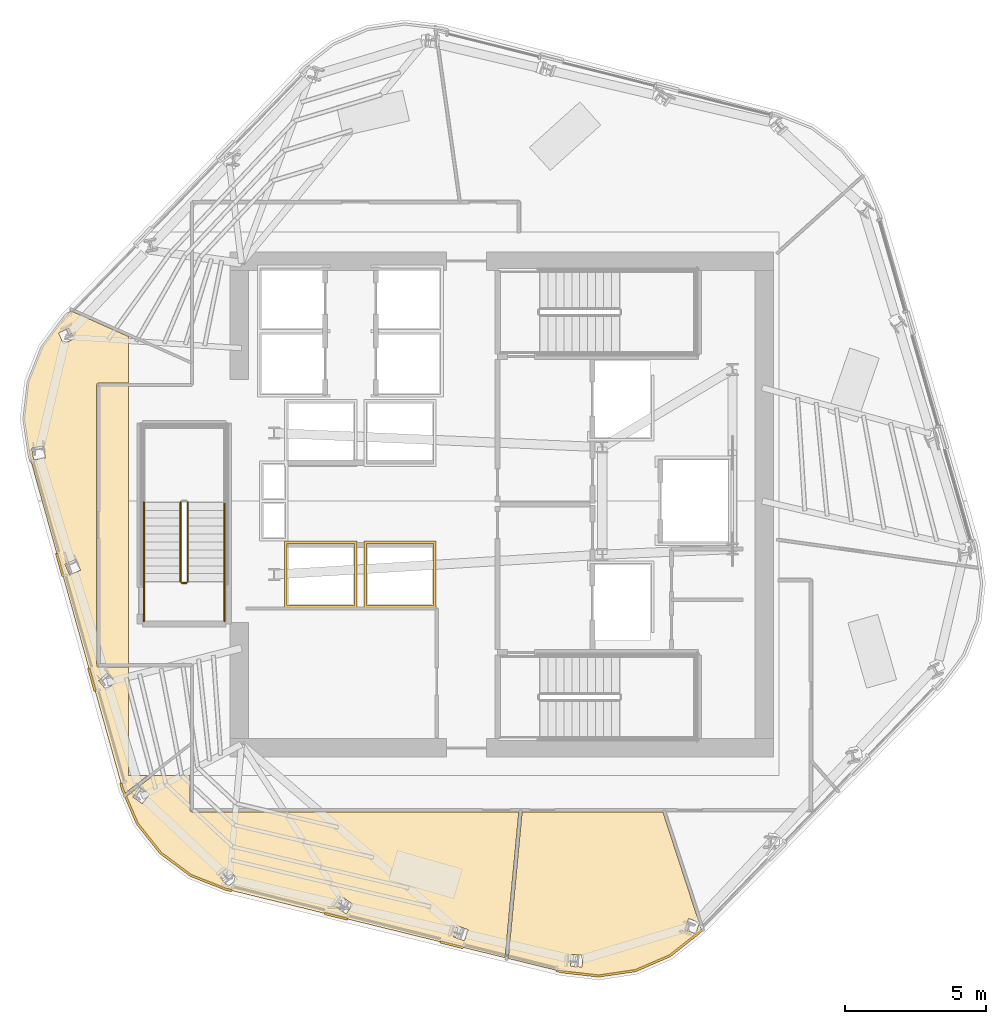
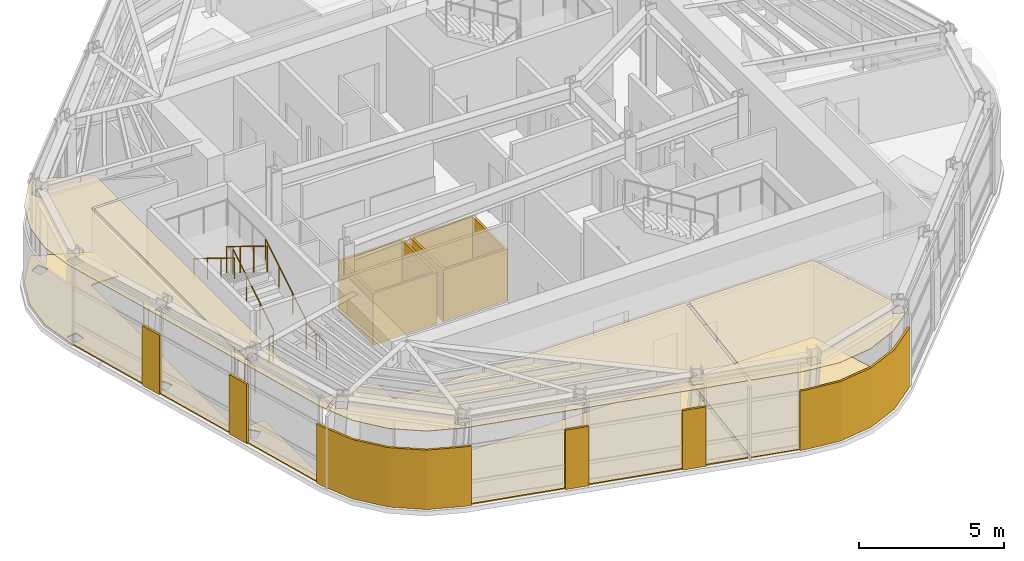
# One storey, part 9 of 13: 15 coverings, 7 railings.
"""IFC4 building model written with IfcOpenShell, lengths in metres."""

from ifc_helpers import new_model, si_unit, direction, frame, origin, origin_2d, place, context, subcontext, project, spatial, polyline, circle, outline, extrude, material, layer, layer_set, type_object, element, save


model = new_model("IFC4")

# Units and contexts
model_context = context("Model", 3, precision=1e-05, world=origin(), true_north=direction((0.0, 1.0)))
body_context = subcontext(model_context, "Body", "Model", "MODEL_VIEW")
ifc_project = project(units=[si_unit("LENGTHUNIT", "METRE"), si_unit("AREAUNIT", "SQUARE_METRE"), si_unit("VOLUMEUNIT", "CUBIC_METRE"), si_unit("PLANEANGLEUNIT", "RADIAN"), si_unit("MASSUNIT", "GRAM", prefix="KILO")], contexts=[model_context])

# Site, building, storey
site_placement = place(None, origin())
site = spatial("IfcSite", under=ifc_project, at=site_placement, CompositionType="ELEMENT")
building_placement = place(site_placement, origin())
building = spatial("IfcBuilding", under=site, at=building_placement, Name="Valkerne Bourse Tower", CompositionType="ELEMENT")
storey_placement = place(building_placement, frame((0.0, 0.0, 220.800048828125)))
storey = spatial("IfcBuildingStorey", under=building, at=storey_placement, Name="L56", CompositionType="ELEMENT", Elevation=220.800048828125)

# Coverings
ifc_material_1 = material(Name="Mineral Fiber Acoustic Ceiling Tile", Category="acoustic")
ifc_layer_1 = layer(ifc_material_1, 0.02490234375)
ifc_layer_set_1 = layer_set([ifc_layer_1], Name="Mineral Fiber Acoustic Ceiling Tile")
covering_type_1 = type_object("IfcCoveringType", Name="COV-CEIL-ACT", PredefinedType="CEILING", material=ifc_layer_set_1)
covering_1_placement = place(storey_placement, frame((0.0, 0.0, 3.25)))
element("IfcCovering", 1, at=covering_1_placement, inside=storey, type_object=covering_type_1, Name="L56 Suspended Ceiling 05", PredefinedType="CEILING", context=body_context, shape_type="SweptSolid", body=[
    extrude(outline(polyline([(51.52587890625, 10.40966796875), (50.220458984375, 10.216796875), (48.89990234375, 10.36962890625), (47.02685546875, 10.830322265625), (47.5166015625, 16.010986328125), (52.4892578125, 16.010986328125), (53.765380859375, 12.1064453125), (53.4013671875, 12.241943359375), (53.399169921875, 12.240966796875), (53.255615234375, 11.8525390625), (53.641357421875, 11.709228515625), (53.6435546875, 11.710205078125), (53.77685546875, 12.0712890625), (53.853759765625, 11.836181640625), (53.77880859375, 11.759521484375), (52.73681640625, 10.93359375), (51.52587890625, 10.40966796875)]), holes=[polyline([(49.670166015625, 10.94091796875), (49.258544921875, 10.978515625), (49.256103515625, 10.978271484375), (49.21923828125, 10.568115234375), (49.630859375, 10.530517578125), (49.63330078125, 10.53076171875), (49.670166015625, 10.94091796875)])]), origin(), (0.0, 0.0, 1.0), 0.02490234375),
])
covering_2_placement = place(storey_placement, frame((0.0, 0.0, 3.25)))
element("IfcCovering", 2, at=covering_2_placement, inside=storey, type_object=covering_type_1, Name="L56 Suspended Ceiling 07", PredefinedType="CEILING", context=body_context, shape_type="SweptSolid", body=[
    extrude(outline(polyline([(29.917724609375, 29.8916015625), (30.0693359375, 31.202392578125), (30.55517578125, 32.429443359375), (31.347900390625, 33.49658203125), (31.56201171875, 33.7197265625), (33.60009765625, 32.8125), (33.60009765625, 31.1689453125), (32.54931640625, 31.1689453125), (32.50390625, 31.151611328125), (32.481689453125, 31.111083984375), (32.484619140625, 21.17724609375), (32.50927734375, 21.14404296875), (32.54931640625, 21.131103515625), (33.60009765625, 21.131103515625), (33.60009765625, 17.300048828125), (34.288818359375, 17.300048828125), (33.46728515625, 16.658203125), (33.399169921875, 16.8154296875), (30.11181640625, 28.576416015625), (29.917724609375, 29.8916015625)]), holes=[polyline([(33.135498046875, 20.59912109375), (32.8701171875, 20.913330078125), (32.55322265625, 20.646484375), (32.55419921875, 20.644287109375), (32.8193359375, 20.330078125), (33.13623046875, 20.59716796875), (33.135498046875, 20.59912109375)]), polyline([(31.90966796875, 24.5556640625), (31.739990234375, 24.93017578125), (31.362548828125, 24.759521484375), (31.36279296875, 24.75732421875), (31.532470703125, 24.3828125), (31.91015625, 24.553466796875), (31.90966796875, 24.5556640625)]), polyline([(30.666748046875, 28.524658203125), (30.597412109375, 28.9296875), (30.18896484375, 28.8603515625), (30.188720703125, 28.858154296875), (30.258056640625, 28.452880859375), (30.66650390625, 28.522216796875), (30.666748046875, 28.524658203125)]), polyline([(31.682861328125, 32.731689453125), (31.5087890625, 33.107421875), (31.135009765625, 32.93505859375), (31.13427734375, 32.932861328125), (31.30859375, 32.557373046875), (31.68212890625, 32.7294921875), (31.682861328125, 32.731689453125)])]), origin(), (0.0, 0.0, 1.0), 0.02490234375),
])
covering_3_placement = place(storey_placement, frame((0.0, 0.0, 3.25)))
element("IfcCovering", 3, at=covering_3_placement, inside=storey, type_object=covering_type_1, Name="L56 Suspended Ceiling 08", PredefinedType="CEILING", context=body_context, shape_type="SweptSolid", body=[
    extrude(outline(polyline([(34.74658203125, 14.561767578125), (33.927001953125, 15.595947265625), (33.515625, 16.54638671875), (34.48046875, 17.300048828125), (35.781005859375, 17.300048828125), (35.781005859375, 16.079345703125), (35.79833984375, 16.033935546875), (35.839111328125, 16.01171875), (47.39794921875, 16.010986328125), (46.910888671875, 10.85888671875), (37.041259765625, 13.285888671875), (35.805908203125, 13.775146484375), (34.74658203125, 14.561767578125)]), holes=[polyline([(45.22265625, 11.9892578125), (45.220458984375, 11.989501953125), (45.080810546875, 11.60205078125), (45.4697265625, 11.461181640625), (45.471923828125, 11.461181640625), (45.611572265625, 11.848388671875), (45.22265625, 11.9892578125)]), polyline([(41.20068359375, 12.983642578125), (41.198486328125, 12.984619140625), (40.958740234375, 12.649658203125), (41.294677734375, 12.408447265625), (41.296875, 12.40771484375), (41.53662109375, 12.742431640625), (41.20068359375, 12.983642578125)]), polyline([(37.176513671875, 13.956787109375), (37.1748046875, 13.958251953125), (36.85791015625, 13.6953125), (37.12158203125, 13.376708984375), (37.12353515625, 13.37548828125), (37.4404296875, 13.638427734375), (37.176513671875, 13.956787109375)]), polyline([(34.340087890625, 16.638671875), (34.00390625, 16.875244140625), (33.764892578125, 16.536865234375), (33.7666015625, 16.534912109375), (34.1025390625, 16.29833984375), (34.341552734375, 16.63671875), (34.340087890625, 16.638671875)])]), origin(), (0.0, 0.0, 1.0), 0.02490234375),
])
ifc_material_2 = material(Name="Bronze Anodised Aluminium AA 6063-T6", Category="aluminium")
ifc_layer_2 = layer(ifc_material_2, 0.030029296875)
ifc_layer_set_2 = layer_set([ifc_layer_2], Name="Bronze Anodised Aluminium AA 6063-T6")
covering_type_2 = type_object("IfcCoveringType", Name="COV-CEIL-METAL", PredefinedType="CEILING", material=ifc_layer_set_2)
covering_4_placement = place(storey_placement, frame((0.0, 0.0, 3.25)))
element("IfcCovering", 4, at=covering_4_placement, inside=storey, type_object=covering_type_2, Name="L56 Suspended Ceiling 02", PredefinedType="CEILING", context=body_context, shape_type="SweptSolid", body=[
    extrude(outline(polyline([(32.553955078125, 21.2041015625), (32.553955078125, 31.095947265625), (33.60009765625, 31.095947265625), (33.60009765625, 21.2041015625), (32.553955078125, 21.2041015625)])), origin(), (0.0, 0.0, 1.0), 0.02490234375),
])
ifc_layer_3 = layer(ifc_material_2, 0.06005859375)
ifc_layer_set_3 = layer_set([ifc_layer_3], Name="Bronze Anodised Aluminium AA 6063-T6")
covering_type_3 = type_object("IfcCoveringType", Name="COV-CRN-ALUM", PredefinedType="CLADDING", material=ifc_layer_set_3)
covering_5_placement = place(storey_placement, origin())
element("IfcCovering", 5, at=covering_5_placement, inside=storey, type_object=covering_type_3, Name="L56 Wind-Shaped Corner Aluminium Cladding 04", PredefinedType="CLADDING", context=body_context, shape_type="SweptSolid", body=[
    extrude(outline(polyline([(53.80810546875, 11.726806640625), (52.759765625, 10.8955078125), (51.5380859375, 10.366943359375), (50.22119140625, 10.172607421875), (48.89208984375, 10.326416015625), (48.70458984375, 10.372314453125), (48.72412109375, 10.449951171875), (48.90625, 10.4052734375), (50.219970703125, 10.253173828125), (51.51611328125, 10.444580078125), (52.71826171875, 10.96484375), (53.754638671875, 11.786376953125), (53.8857421875, 11.92041015625), (53.943115234375, 11.864501953125), (53.80810546875, 11.726806640625)])), origin(), (0.0, 0.0, 1.0), 2.5),
])
covering_6_placement = place(storey_placement, origin())
element("IfcCovering", 6, at=covering_6_placement, inside=storey, type_object=covering_type_3, Name="L56 Wind-Shaped Corner Aluminium Cladding 05", PredefinedType="CLADDING", context=body_context, shape_type="SweptSolid", body=[
    extrude(outline(polyline([(44.614501953125, 11.378173828125), (44.6337890625, 11.455810546875), (45.44970703125, 11.255126953125), (45.43017578125, 11.177490234375), (44.614501953125, 11.378173828125)])), origin(), (0.0, 0.0, 1.0), 2.5),
])
covering_7_placement = place(storey_placement, origin())
element("IfcCovering", 7, at=covering_7_placement, inside=storey, type_object=covering_type_3, Name="L56 Wind-Shaped Corner Aluminium Cladding 06", PredefinedType="CLADDING", context=body_context, shape_type="SweptSolid", body=[
    extrude(outline(polyline([(40.524169921875, 12.384033203125), (40.543701171875, 12.461669921875), (41.359619140625, 12.260986328125), (41.340087890625, 12.18359375), (40.524169921875, 12.384033203125)])), origin(), (0.0, 0.0, 1.0), 2.5),
])
covering_8_placement = place(storey_placement, origin())
element("IfcCovering", 8, at=covering_8_placement, inside=storey, type_object=covering_type_3, Name="L56 Wind-Shaped Corner Aluminium Cladding 07", PredefinedType="CLADDING", context=body_context, shape_type="SweptSolid", body=[
    extrude(outline(polyline([(37.02783203125, 13.243896484375), (35.784423828125, 13.736328125), (34.7158203125, 14.52978515625), (33.888916015625, 15.5732421875), (33.357666015625, 16.80078125), (33.296142578125, 17.020751953125), (33.373046875, 17.042724609375), (33.433349609375, 16.827392578125), (33.9580078125, 15.614501953125), (34.771728515625, 14.587890625), (35.823486328125, 13.806884765625), (37.05224609375, 13.3203125), (37.269287109375, 13.266845703125), (37.249755859375, 13.189208984375), (37.02783203125, 13.243896484375)])), origin(), (0.0, 0.0, 1.0), 2.5),
])
covering_9_placement = place(storey_placement, origin())
element("IfcCovering", 9, at=covering_9_placement, inside=storey, type_object=covering_type_3, Name="L56 Wind-Shaped Corner Aluminium Cladding 08", PredefinedType="CLADDING", context=body_context, shape_type="SweptSolid", body=[
    extrude(outline(polyline([(32.162353515625, 21.077392578125), (32.2392578125, 21.09912109375), (32.46533203125, 20.2900390625), (32.388427734375, 20.268310546875), (32.162353515625, 21.077392578125)])), origin(), (0.0, 0.0, 1.0), 2.5),
])
covering_10_placement = place(storey_placement, origin())
element("IfcCovering", 10, at=covering_10_placement, inside=storey, type_object=covering_type_3, Name="L56 Wind-Shaped Corner Aluminium Cladding 09", PredefinedType="CLADDING", context=body_context, shape_type="SweptSolid", body=[
    extrude(outline(polyline([(31.028564453125, 25.1337890625), (31.10546875, 25.15576171875), (31.33154296875, 24.3466796875), (31.254638671875, 24.32470703125), (31.028564453125, 25.1337890625)])), origin(), (0.0, 0.0, 1.0), 2.5),
])
ifc_material_3 = material(Name="Galvanised Painted Steel", Category="steel")
ifc_layer_4 = layer(ifc_material_3, 0.044921875)
ifc_layer_set_4 = layer_set([ifc_layer_4], Name="Galvanised Painted Steel")
covering_type_4 = type_object("IfcCoveringType", Name="COV-FLR-RAF", PredefinedType="FLOORING", material=ifc_layer_set_4)
covering_11_placement = place(storey_placement, origin())
element("IfcCovering", 11, at=covering_11_placement, inside=storey, type_object=covering_type_4, Name="L56 Floor Finish 07", PredefinedType="FLOORING", context=body_context, shape_type="SweptSolid", body=[
    extrude(outline(polyline([(29.917724609375, 29.8916015625), (30.0693359375, 31.202392578125), (30.55517578125, 32.429443359375), (31.347900390625, 33.49658203125), (31.56201171875, 33.7197265625), (33.60009765625, 32.8125), (33.60009765625, 31.1689453125), (32.54931640625, 31.1689453125), (32.50390625, 31.151611328125), (32.481689453125, 31.111083984375), (32.484619140625, 21.17724609375), (32.50927734375, 21.14404296875), (32.54931640625, 21.131103515625), (33.60009765625, 21.131103515625), (33.60009765625, 17.300048828125), (34.288818359375, 17.300048828125), (33.46728515625, 16.658203125), (33.399169921875, 16.8154296875), (30.11181640625, 28.576416015625), (29.917724609375, 29.8916015625)]), holes=[polyline([(33.135498046875, 20.59912109375), (32.8701171875, 20.913330078125), (32.55322265625, 20.646484375), (32.55419921875, 20.644287109375), (32.8193359375, 20.330078125), (33.13623046875, 20.59716796875), (33.135498046875, 20.59912109375)]), polyline([(31.90966796875, 24.5556640625), (31.739990234375, 24.93017578125), (31.362548828125, 24.759521484375), (31.36279296875, 24.75732421875), (31.532470703125, 24.3828125), (31.91015625, 24.553466796875), (31.90966796875, 24.5556640625)]), polyline([(30.666748046875, 28.524658203125), (30.597412109375, 28.9296875), (30.18896484375, 28.8603515625), (30.188720703125, 28.858154296875), (30.258056640625, 28.452880859375), (30.66650390625, 28.522216796875), (30.666748046875, 28.524658203125)]), polyline([(31.682861328125, 32.731689453125), (31.5087890625, 33.107421875), (31.135009765625, 32.93505859375), (31.13427734375, 32.932861328125), (31.30859375, 32.557373046875), (31.68212890625, 32.7294921875), (31.682861328125, 32.731689453125)])]), origin(), (0.0, 0.0, 1.0), 0.044921875),
])
covering_12_placement = place(storey_placement, origin())
element("IfcCovering", 12, at=covering_12_placement, inside=storey, type_object=covering_type_4, Name="L56 Floor Finish 08", PredefinedType="FLOORING", context=body_context, shape_type="SweptSolid", body=[
    extrude(outline(polyline([(34.74658203125, 14.561767578125), (33.927001953125, 15.595947265625), (33.515625, 16.54638671875), (34.48046875, 17.300048828125), (35.781005859375, 17.300048828125), (35.781005859375, 16.079345703125), (35.79833984375, 16.033935546875), (35.839111328125, 16.01171875), (47.39794921875, 16.010986328125), (46.910888671875, 10.85888671875), (37.041259765625, 13.285888671875), (35.805908203125, 13.775146484375), (34.74658203125, 14.561767578125)]), holes=[polyline([(45.22265625, 11.9892578125), (45.220458984375, 11.989501953125), (45.080810546875, 11.60205078125), (45.4697265625, 11.461181640625), (45.471923828125, 11.461181640625), (45.611572265625, 11.848388671875), (45.22265625, 11.9892578125)]), polyline([(41.20068359375, 12.983642578125), (41.198486328125, 12.984619140625), (40.958740234375, 12.649658203125), (41.294677734375, 12.408447265625), (41.296875, 12.40771484375), (41.53662109375, 12.742431640625), (41.20068359375, 12.983642578125)]), polyline([(37.176513671875, 13.956787109375), (37.1748046875, 13.958251953125), (36.85791015625, 13.6953125), (37.12158203125, 13.376708984375), (37.12353515625, 13.37548828125), (37.4404296875, 13.638427734375), (37.176513671875, 13.956787109375)]), polyline([(34.340087890625, 16.638671875), (34.00390625, 16.875244140625), (33.764892578125, 16.536865234375), (33.7666015625, 16.534912109375), (34.1025390625, 16.29833984375), (34.341552734375, 16.63671875), (34.340087890625, 16.638671875)])]), origin(), (0.0, 0.0, 1.0), 0.044921875),
])
ifc_material_4 = material(Name="Polished Granite Stone", Category="masonry")
ifc_layer_5 = layer(ifc_material_4, 0.030029296875)
ifc_layer_set_5 = layer_set([ifc_layer_5], Name="Polished Granite Stone")
covering_type_5 = type_object("IfcCoveringType", Name="COV-FLR-TERRAZZO", PredefinedType="FLOORING", material=ifc_layer_set_5)
covering_13_placement = place(storey_placement, origin())
element("IfcCovering", 13, at=covering_13_placement, inside=storey, type_object=covering_type_5, Name="L56 Floor Finish 05", PredefinedType="FLOORING", context=body_context, shape_type="SweptSolid", body=[
    extrude(outline(polyline([(51.52587890625, 10.40966796875), (50.220458984375, 10.216796875), (48.89990234375, 10.36962890625), (47.02685546875, 10.830322265625), (47.5166015625, 16.010986328125), (52.4892578125, 16.010986328125), (53.765380859375, 12.1064453125), (53.4013671875, 12.241943359375), (53.399169921875, 12.240966796875), (53.255615234375, 11.8525390625), (53.641357421875, 11.709228515625), (53.6435546875, 11.710205078125), (53.77685546875, 12.0712890625), (53.853759765625, 11.836181640625), (53.77880859375, 11.759521484375), (52.73681640625, 10.93359375), (51.52587890625, 10.40966796875)]), holes=[polyline([(49.670166015625, 10.94091796875), (49.258544921875, 10.978515625), (49.256103515625, 10.978271484375), (49.21923828125, 10.568115234375), (49.630859375, 10.530517578125), (49.63330078125, 10.53076171875), (49.670166015625, 10.94091796875)])]), origin(), (0.0, 0.0, 1.0), 0.030029296875),
])
ifc_material_5 = material(Name="Gypsum Shaftwall Liner Board", Category="gypsum")
ifc_layer_6 = layer(ifc_material_5, 0.080078125)
ifc_layer_set_6 = layer_set([ifc_layer_6], Name="Gypsum Shaftwall Liner Board")
covering_type_6 = type_object("IfcCoveringType", Name="COV-SHF-CLAD", PredefinedType="CLADDING", material=ifc_layer_set_6)
covering_14_placement = place(storey_placement, origin())
element("IfcCovering", 14, at=covering_14_placement, inside=storey, type_object=covering_type_6, Name="L56 Hoistway & Riser Shaftwall Liner 01", PredefinedType="CLADDING", context=body_context, shape_type="SweptSolid", body=[
    extrude(outline(polyline([(41.679931640625, 25.580078125), (41.679931640625, 23.219970703125), (39.1201171875, 23.219970703125), (39.1201171875, 25.580078125), (41.679931640625, 25.580078125)]), holes=[polyline([(41.590087890625, 25.489990234375), (39.2099609375, 25.489990234375), (39.2099609375, 23.31005859375), (41.590087890625, 23.31005859375), (41.590087890625, 25.489990234375)])]), origin(), (0.0, 0.0, 1.0), 2.179931640625),
])
covering_15_placement = place(storey_placement, origin())
element("IfcCovering", 15, at=covering_15_placement, inside=storey, type_object=covering_type_6, Name="L56 Hoistway & Riser Shaftwall Liner 02", PredefinedType="CLADDING", context=body_context, shape_type="SweptSolid", body=[
    extrude(outline(polyline([(44.47998046875, 23.219970703125), (41.919921875, 23.219970703125), (41.919921875, 25.580078125), (44.47998046875, 25.580078125), (44.47998046875, 23.219970703125)]), holes=[polyline([(42.010009765625, 25.489990234375), (42.010009765625, 23.31005859375), (44.389892578125, 23.31005859375), (44.389892578125, 25.489990234375), (42.010009765625, 25.489990234375)])]), origin(), (0.0, 0.0, 1.0), 2.179931640625),
])

# Railings
railing_type_1 = type_object("IfcRailingType", Name="RLG-ST-GUARD-1120", PredefinedType="GUARDRAIL", material=ifc_material_3)
railing_1_placement = place(storey_placement, frame((35.699951171875, 24.14990234375, 0.172607421875)))
element("IfcRailing", 16, at=railing_1_placement, inside=storey, type_object=railing_type_1, Name="L56 ST-3 stair guard 1", PredefinedType="GUARDRAIL", context=body_context, shape_type="SweptSolid", body=[
    extrude(circle(Radius=0.02392578125, at=origin_2d()), frame((0.0, 0.0, 1.09619140625), z_axis=(0.0, 0.851089632645, 0.525020415988), x_axis=(-1.0, 0.0, 0.0)), (0.0, 0.0, 1.0), 3.2900390625),
    extrude(circle(Radius=0.02099609375, at=origin_2d()), origin(), (0.0, 0.0, 1.0), 1.072021484375),
    extrude(circle(Radius=0.02099609375, at=origin_2d()), frame((0.0, 0.933349609375, 0.57568359375)), (0.0, 0.0, 1.0), 1.072021484375),
    extrude(circle(Radius=0.02099609375, at=origin_2d()), frame((0.0, 1.86669921875, 1.151611328125)), (0.0, 0.0, 1.0), 1.072021484375),
    extrude(circle(Radius=0.02099609375, at=origin_2d()), frame((0.0, 2.800048828125, 1.727294921875)), (0.0, 0.0, 1.0), 1.072021484375),
])
railing_2_placement = place(storey_placement, frame((35.449951171875, 26.949951171875, 2.07275390625)))
element("IfcRailing", 17, at=railing_2_placement, inside=storey, type_object=railing_type_1, Name="L56 ST-3 stair guard 6", PredefinedType="GUARDRAIL", context=body_context, shape_type="SweptSolid", body=[
    extrude(circle(Radius=0.02392578125, at=origin_2d()), frame((0.0, 0.0, 1.09619140625), z_axis=(0.0, -0.851089632645, 0.525020415988), x_axis=(1.0, 0.0, 0.0)), (0.0, 0.0, 1.0), 3.2900390625),
    extrude(circle(Radius=0.02099609375, at=origin_2d()), origin(), (0.0, 0.0, 1.0), 1.072021484375),
    extrude(circle(Radius=0.02099609375, at=origin_2d()), frame((0.0, -0.933349609375, 0.57568359375)), (0.0, 0.0, 1.0), 1.072021484375),
    extrude(circle(Radius=0.02099609375, at=origin_2d()), frame((0.0, -1.86669921875, 1.151611328125)), (0.0, 0.0, 1.0), 1.072021484375),
    extrude(circle(Radius=0.02099609375, at=origin_2d()), frame((0.0, -2.800048828125, 1.727294921875)), (0.0, 0.0, 1.0), 1.072021484375),
])
railing_3_placement = place(storey_placement, frame((35.64990234375, 24.10009765625, 0.0)))
element("IfcRailing", 18, at=railing_3_placement, inside=storey, type_object=railing_type_1, Name="L56 ST-3 stair guard 7", PredefinedType="GUARDRAIL", context=body_context, shape_type="SweptSolid", body=[
    extrude(circle(Radius=0.02392578125, at=origin_2d()), frame((0.0, 0.0, 1.09619140625), z_axis=(-1.0, 0.0, 0.0), x_axis=(0.0, -1.0, 0.0)), (0.0, 0.0, 1.0), 0.14990234375),
    extrude(circle(Radius=0.02099609375, at=origin_2d()), origin(), (0.0, 0.0, 1.0), 1.072021484375),
    extrude(circle(Radius=0.02099609375, at=origin_2d()), frame((-0.14990234375, 0.0, 0.0)), (0.0, 0.0, 1.0), 1.072021484375),
])
for number, where, name in (
    (19, (37.0, 22.75, 0.0), "L56 ST-3 stair guard 8"),
    (20, (34.14990234375, 22.75, 0.0), "L56 ST-3 stair guard 9"),
):
    element("IfcRailing", number, at=place(storey_placement, frame(where)), inside=storey, type_object=railing_type_1, Name=name, PredefinedType="GUARDRAIL", context=body_context, shape_type="SweptSolid", body=[
        extrude(circle(Radius=0.02392578125, at=origin_2d()), frame((0.0, 0.0, 1.09619140625), z_axis=(0.0, 1.0, 0.0), x_axis=(-1.0, 0.0, 0.0)), (0.0, 0.0, 1.0), 1.39990234375),
        extrude(circle(Radius=0.02099609375, at=origin_2d()), origin(), (0.0, 0.0, 1.0), 1.072021484375),
        extrude(circle(Radius=0.02099609375, at=origin_2d()), frame((0.0, 0.699951171875, 0.0)), (0.0, 0.0, 1.0), 1.072021484375),
        extrude(circle(Radius=0.02099609375, at=origin_2d()), frame((0.0, 1.39990234375, 0.0)), (0.0, 0.0, 1.0), 1.072021484375),
    ])
ifc_material_6 = material(Name="Stainless Steel AISI 316", Category="steel")
railing_type_2 = type_object("IfcRailingType", Name="RLG-ST-HANDRAIL-900", PredefinedType="HANDRAIL", material=ifc_material_6)
railing_4_placement = place(storey_placement, frame((37.0, 24.14990234375, 0.345458984375)))
element("IfcRailing", 21, at=railing_4_placement, inside=storey, type_object=railing_type_2, Name="L56 ST-3 stair handrail 1", PredefinedType="HANDRAIL", context=body_context, shape_type="SweptSolid", body=[
    extrude(circle(Radius=0.02392578125, at=origin_2d()), frame((0.0, 0.0, 0.8759765625), z_axis=(0.0, 0.851089632645, 0.525020415988), x_axis=(-1.0, 0.0, 0.0)), (0.0, 0.0, 1.0), 3.2900390625),
    extrude(circle(Radius=0.02099609375, at=origin_2d()), origin(), (0.0, 0.0, 1.0), 0.851806640625),
    extrude(circle(Radius=0.02099609375, at=origin_2d()), frame((0.0, 0.933349609375, 0.57568359375)), (0.0, 0.0, 1.0), 0.851806640625),
    extrude(circle(Radius=0.02099609375, at=origin_2d()), frame((0.0, 1.86669921875, 1.151611328125)), (0.0, 0.0, 1.0), 0.851806640625),
    extrude(circle(Radius=0.02099609375, at=origin_2d()), frame((0.0, 2.800048828125, 1.727294921875)), (0.0, 0.0, 1.0), 0.851806640625),
])
railing_5_placement = place(storey_placement, frame((34.14990234375, 26.949951171875, 2.245361328125)))
element("IfcRailing", 22, at=railing_5_placement, inside=storey, type_object=railing_type_2, Name="L56 ST-3 stair handrail 2", PredefinedType="HANDRAIL", context=body_context, shape_type="SweptSolid", body=[
    extrude(circle(Radius=0.02392578125, at=origin_2d()), frame((0.0, 0.0, 0.8759765625), z_axis=(0.0, -0.851089632645, 0.525020415988), x_axis=(1.0, 0.0, 0.0)), (0.0, 0.0, 1.0), 3.2900390625),
    extrude(circle(Radius=0.02099609375, at=origin_2d()), origin(), (0.0, 0.0, 1.0), 0.851806640625),
    extrude(circle(Radius=0.02099609375, at=origin_2d()), frame((0.0, -0.933349609375, 0.57568359375)), (0.0, 0.0, 1.0), 0.851806640625),
    extrude(circle(Radius=0.02099609375, at=origin_2d()), frame((0.0, -1.86669921875, 1.151611328125)), (0.0, 0.0, 1.0), 0.851806640625),
    extrude(circle(Radius=0.02099609375, at=origin_2d()), frame((0.0, -2.800048828125, 1.727294921875)), (0.0, 0.0, 1.0), 0.851806640625),
])

save(model, "model.ifc")
